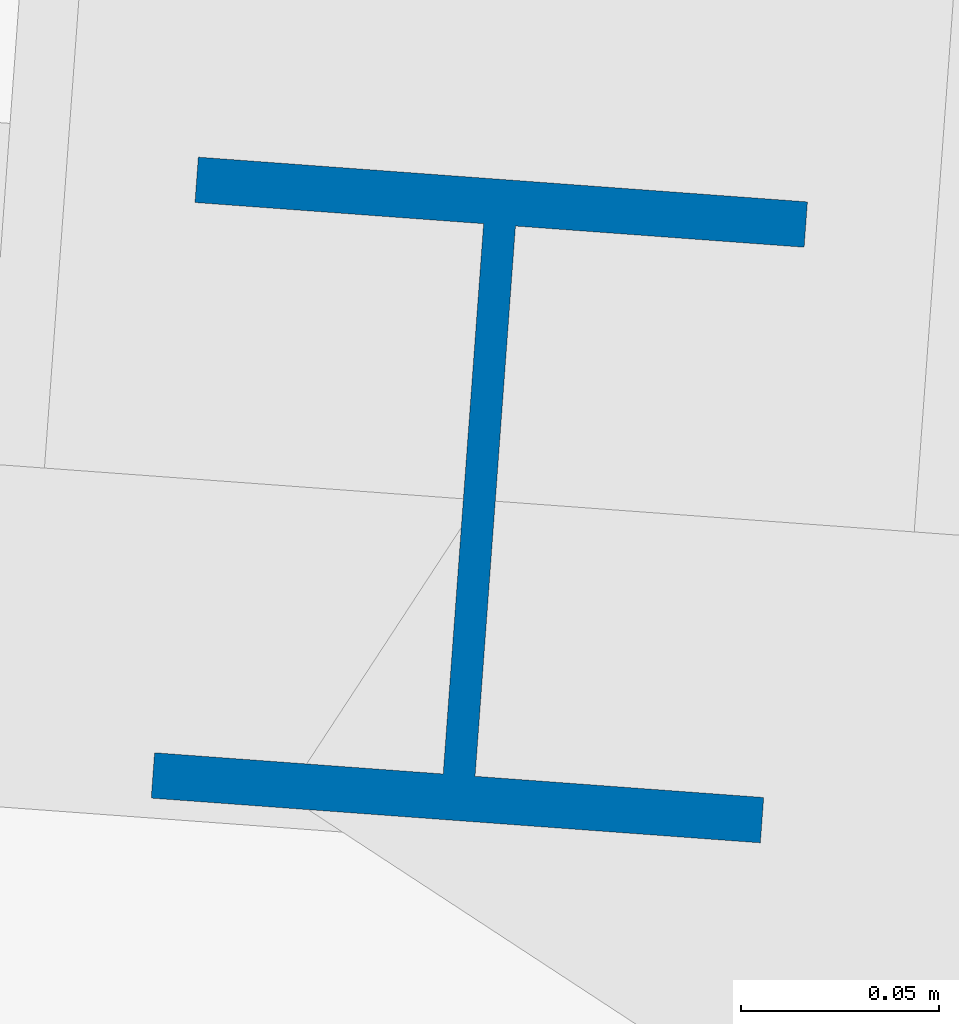
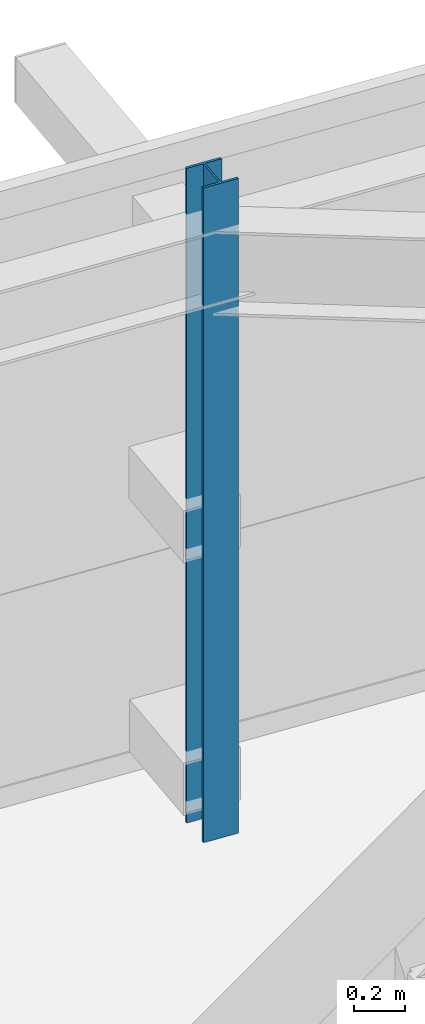
# One storey, part 8 of 36: 1 column.
"""IFC4 building model written with IfcOpenShell, lengths in metres."""

from ifc_helpers import new_model, si_unit, direction, frame, origin, origin_2d, place, context, subcontext, project, spatial, i_section, extrude, source, transform, mapped, material, material_profile, profile_set, type_object, element, save


model = new_model("IFC4")

# Units and contexts
model_context = context("Model", 3, precision=1e-05, world=origin(), true_north=direction((0.0, 1.0)))
body_context = subcontext(model_context, "Body", "Model", "MODEL_VIEW")
ifc_project = project(units=[si_unit("LENGTHUNIT", "METRE"), si_unit("AREAUNIT", "SQUARE_METRE"), si_unit("VOLUMEUNIT", "CUBIC_METRE"), si_unit("PLANEANGLEUNIT", "RADIAN"), si_unit("MASSUNIT", "GRAM", prefix="KILO")], contexts=[model_context])

# Site, building, storey
site_placement = place(None, origin())
site = spatial("IfcSite", under=ifc_project, at=site_placement, CompositionType="ELEMENT")
building_placement = place(site_placement, origin())
building = spatial("IfcBuilding", under=site, at=building_placement, Name="Taldren Reach Tower", CompositionType="ELEMENT")
storey_placement = place(building_placement, frame((0.0, 0.0, 227.14990234375)))
storey = spatial("IfcBuildingStorey", under=building, at=storey_placement, Name="L69", CompositionType="ELEMENT", Elevation=227.14990234375)

# Column
ifc_material = material(Name="Steel Gr 350 (350PLUS)", Category="steel")
ifc_material_profile = material_profile(ifc_material, i_section(OverallWidth=0.154052734375, OverallDepth=0.162109375, WebThickness=0.008056640625, FlangeThickness=0.011474609375, at=origin_2d()), Name="150UC37.2")
ifc_profile_set = profile_set([ifc_material_profile], Name="Steel Gr 350 (350PLUS)")
column_type = type_object("IfcColumnType", Name="COL-UC150", PredefinedType="COLUMN", material=ifc_profile_set)
shared_shape = source(origin(), body_context, "Body", "SweptSolid", [
    extrude(i_section(OverallWidth=0.154052734375, OverallDepth=0.162109375, WebThickness=0.008056640625, FlangeThickness=0.011474609375, at=origin_2d()), origin(), (0.0, 0.0, 1.0), 3.150146484375),
])
column_placement = place(storey_placement, frame((47.199462890625, 34.487548828125, 0.0), z_axis=(0.0, 0.0, 1.0), x_axis=(0.997314477224, -0.073238197128, 0.0)))
element("IfcColumn", 1, at=column_placement, inside=storey, type_object=column_type, Name="Block B5 perimeter column N5 L69", PredefinedType="COLUMN", context=body_context, shape_type="MappedRepresentation", body=[
    mapped(shared_shape, transform((0.0, 0.0, 0.0), scale=1.0)),
])

save(model, "model.ifc")
